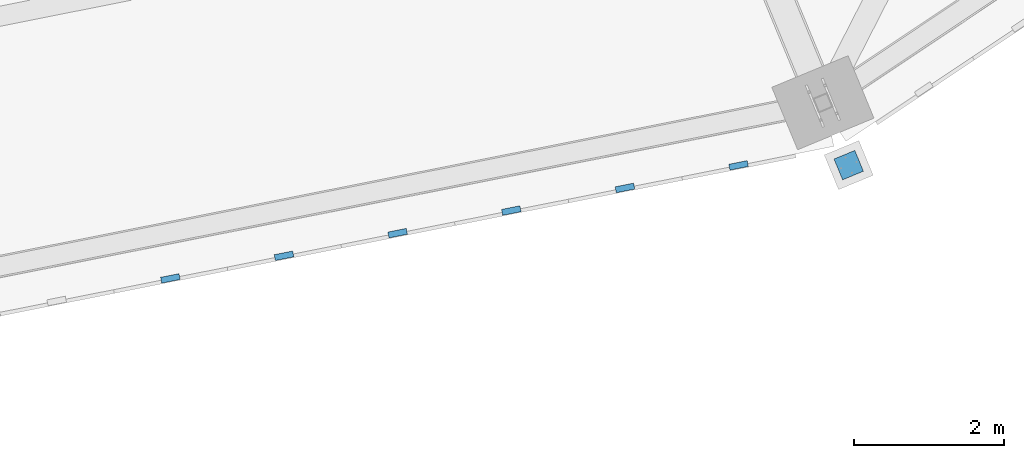
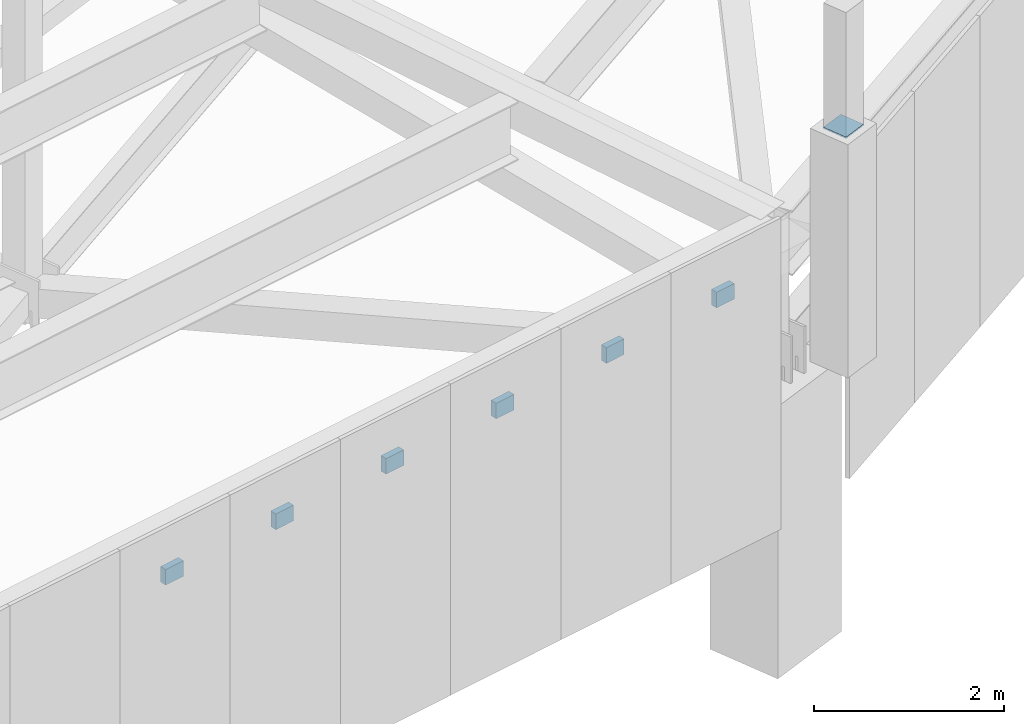
# One storey, part 170 of 278: 7 discrete accessories.
"""IFC4 building model written with IfcOpenShell, lengths in metres."""

from ifc_helpers import new_model, si_unit, direction, frame, origin, origin_2d, place, context, subcontext, project, spatial, rectangle, extrude, material, layer, layer_set, type_object, element, save


model = new_model("IFC4")

# Units and contexts
model_context = context("Model", 3, precision=1e-05, world=origin(), true_north=direction((0.0, 1.0)))
body_context = subcontext(model_context, "Body", "Model", "MODEL_VIEW")
ifc_project = project(units=[si_unit("LENGTHUNIT", "METRE"), si_unit("AREAUNIT", "SQUARE_METRE"), si_unit("VOLUMEUNIT", "CUBIC_METRE"), si_unit("PLANEANGLEUNIT", "RADIAN"), si_unit("MASSUNIT", "GRAM", prefix="KILO")], contexts=[model_context])

# Site, building, storey
site_placement = place(None, origin())
site = spatial("IfcSite", under=ifc_project, at=site_placement, CompositionType="ELEMENT")
building_placement = place(site_placement, origin())
building = spatial("IfcBuilding", under=site, at=building_placement, Name="Ogive Plaza Stadium", CompositionType="ELEMENT")
storey_placement = place(building_placement, frame((0.0, 0.0, 29.0)))
storey = spatial("IfcBuildingStorey", under=building, at=storey_placement, Name="Roof", CompositionType="ELEMENT", Elevation=29.0)

# Discrete accessories
ifc_material_1 = material(Name="Steel ASTM A992 Grade 50", Category="steel")
ifc_layer_1 = layer(ifc_material_1, 0.02001953125)
ifc_layer_set_1 = layer_set([ifc_layer_1], Name="Steel ASTM A992 Grade 50")
discrete_accessory_type_1 = type_object("IfcDiscreteAccessoryType", Name="Spire seat plate 20", PredefinedType="ANCHORPLATE", material=ifc_layer_set_1)
discrete_accessory_placement = place(storey_placement, frame((53.478515625, -99.525390625, 6.98095703125), z_axis=(0.0, 0.0, 1.0), x_axis=(0.382683432365, -0.923879532511, 0.0)))
element("IfcDiscreteAccessory", 1, at=discrete_accessory_placement, inside=storey, type_object=discrete_accessory_type_1, Name="SPIRE SEAT PLATE 11", PredefinedType="ANCHORPLATE", context=body_context, shape_type="SweptSolid", body=[
    extrude(rectangle(XDim=0.300048828125, YDim=0.300048828125, at=origin_2d()), origin(), (0.0, 0.0, 1.0), 0.02001953125),
])
ifc_material_2 = material(Name="Steel ASTM A572 Grade 50", Category="steel")
ifc_layer_2 = layer(ifc_material_2, 0.080078125)
ifc_layer_set_2 = layer_set([ifc_layer_2], Name="Steel ASTM A572 Grade 50")
discrete_accessory_type_2 = type_object("IfcDiscreteAccessoryType", Name="Tracery screen bracket 250x200", PredefinedType="BRACKET", material=ifc_layer_set_2)
for number, where, z_axis, x_axis, name in (
    (2, (52.010986328125, -99.528564453125, 5.25), (0.0, 0.0, 1.0), (-0.980785280403, -0.195090322016, 0.0), "TRACERY SCREEN BRACKET B11 1"),
    (3, (50.4970703125, -99.82958984375, 5.25), (0.0, 0.0, 1.0), (-0.980785280403, -0.195090322016, 0.0), "TRACERY SCREEN BRACKET B11 2"),
    (4, (48.983154296875, -100.130859375, 5.25), (0.0, 0.0, 1.0), (-0.980785280403, -0.195090322016, 0.0), "TRACERY SCREEN BRACKET B11 3"),
    (5, (47.468994140625, -100.43212890625, 5.25), (0.0, 0.0, 1.0), (-0.980785280403, -0.195090322016, 0.0), "TRACERY SCREEN BRACKET B11 4"),
    (6, (45.955078125, -100.733154296875, 5.25), (0.0, 0.0, 1.0), (-0.980785280403, -0.195090322016, 0.0), "TRACERY SCREEN BRACKET B11 5"),
    (7, (44.44091796875, -101.034423828125, 5.25), (0.0, 0.0, 1.0), (-0.980785280403, -0.195090322016, 0.0), "TRACERY SCREEN BRACKET B11 6"),
):
    element("IfcDiscreteAccessory", number, at=place(storey_placement, frame(where, z_axis=z_axis, x_axis=x_axis)), inside=storey, type_object=discrete_accessory_type_2, Name=name, PredefinedType="BRACKET", context=body_context, shape_type="SweptSolid", body=[
        extrude(rectangle(XDim=0.25, YDim=0.080078125, at=origin_2d()), origin(), (0.0, 0.0, 1.0), 0.199951171875),
    ])

save(model, "model.ifc")
